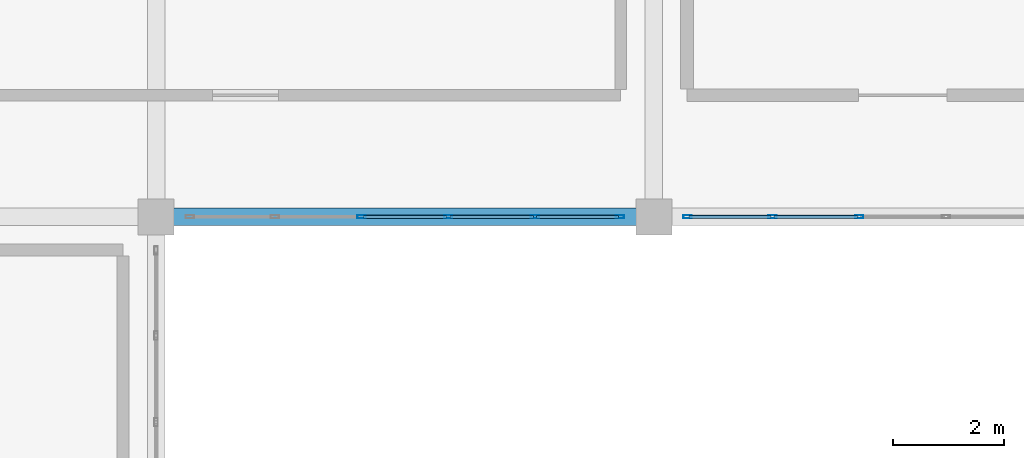
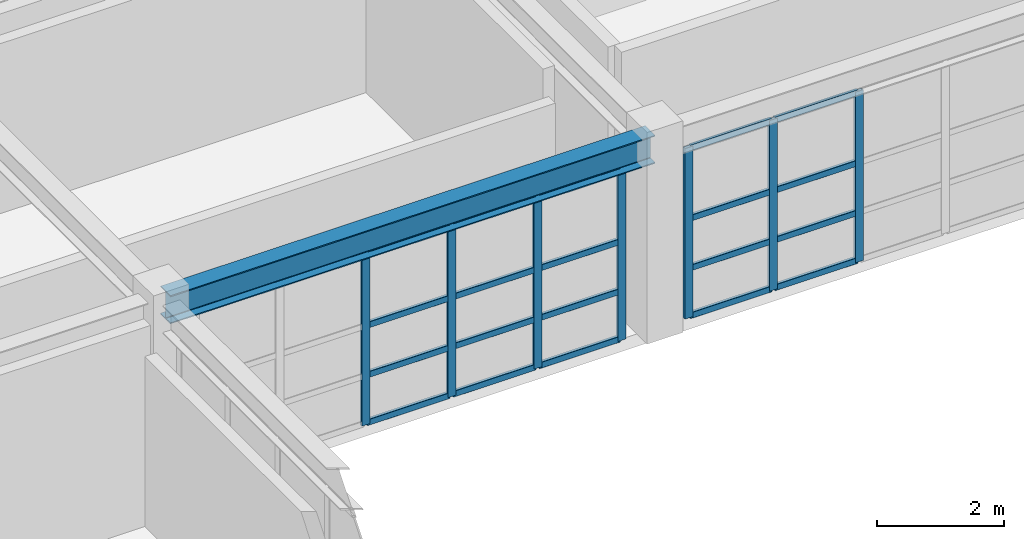
# One storey, part 64 of 110: 27 members, 1 beam, 2 elements without a shape of their own.
"""IFC4 building model written with IfcOpenShell, lengths in metres."""

from ifc_helpers import new_model, si_unit, direction, frame, origin, origin_2d, place, context, subcontext, project, spatial, hollow_rectangle, i_section, extrude, material, material_profile, profile_set, type_object, element, aggregate, save


model = new_model("IFC4")

# Units and contexts
model_context = context("Model", 3, precision=1e-05, world=origin(), true_north=direction((0.0, 1.0)))
body_context = subcontext(model_context, "Body", "Model", "MODEL_VIEW")
ifc_project = project(units=[si_unit("LENGTHUNIT", "METRE"), si_unit("AREAUNIT", "SQUARE_METRE"), si_unit("VOLUMEUNIT", "CUBIC_METRE"), si_unit("PLANEANGLEUNIT", "RADIAN"), si_unit("MASSUNIT", "GRAM", prefix="KILO")], contexts=[model_context])

# Site, building, storey
site_placement = place(None, origin())
site = spatial("IfcSite", under=ifc_project, at=site_placement, CompositionType="ELEMENT")
building_placement = place(site_placement, origin())
building = spatial("IfcBuilding", under=site, at=building_placement, Name="Miravela Opera House", CompositionType="ELEMENT")
storey_placement = place(building_placement, frame((0.0, 0.0, 13.60009765625)))
storey = spatial("IfcBuildingStorey", under=building, at=storey_placement, Name="L03", CompositionType="ELEMENT", Elevation=13.60009765625)

# Curtain wall, members
ifc_material_1 = material(Name="Anodised architectural bronze aluminium 6063-T6", Category="aluminium")
curtain_wall_type = type_object("IfcCurtainWallType", Name="ARC-CW-05", PredefinedType="NOTDEFINED", material=ifc_material_1)
curtain_wall_1_placement = place(storey_placement, origin())
curtain_wall_1 = element("IfcCurtainWall", 1, at=curtain_wall_1_placement, inside=storey, type_object=curtain_wall_type, Name="Courtyard Arcade Curtain Wall CW-L03-102", PredefinedType="NOTDEFINED")
ifc_material_profile_1 = material_profile(ifc_material_1, hollow_rectangle(XDim=0.06005859375, YDim=0.14990234375, WallThickness=0.00390625, InnerFilletRadius=0.001953125, OuterFilletRadius=0.00390625, at=origin_2d()), Name="CWM-60X150")
ifc_profile_set_1 = profile_set([ifc_material_profile_1])
member_type_1 = type_object("IfcMemberType", Name="ARC-CWM-150", PredefinedType="MULLION", material=ifc_profile_set_1)
member_1_placement = place(storey_placement, frame((30.716064453125, 103.0, 0.0), z_axis=(0.0, 0.0, 1.0), x_axis=(0.0, 1.0, 0.0)))
member_1 = element("IfcMember", 2, at=member_1_placement, type_object=member_type_1, Name="CW-05 mullion 3", PredefinedType="MULLION", context=body_context, shape_type="SweptSolid", body=[
    extrude(hollow_rectangle(XDim=0.06005859375, YDim=0.14990234375, WallThickness=0.00390625, InnerFilletRadius=0.001953125, OuterFilletRadius=0.00390625, at=origin_2d()), origin(), (0.0, 0.0, 1.0), 3.289794921875),
])
member_2_placement = place(storey_placement, frame((32.283935546875, 103.0, 0.0), z_axis=(0.0, 0.0, 1.0), x_axis=(0.0, 1.0, 0.0)))
member_2 = element("IfcMember", 3, at=member_2_placement, type_object=member_type_1, Name="CW-05 mullion 4", PredefinedType="MULLION", context=body_context, shape_type="SweptSolid", body=[
    extrude(hollow_rectangle(XDim=0.06005859375, YDim=0.14990234375, WallThickness=0.00390625, InnerFilletRadius=0.001953125, OuterFilletRadius=0.00390625, at=origin_2d()), origin(), (0.0, 0.0, 1.0), 3.289794921875),
])
member_3_placement = place(storey_placement, frame((33.85205078125, 103.0, 0.0), z_axis=(0.0, 0.0, 1.0), x_axis=(0.0, 1.0, 0.0)))
member_3 = element("IfcMember", 4, at=member_3_placement, type_object=member_type_1, Name="CW-05 mullion 5", PredefinedType="MULLION", context=body_context, shape_type="SweptSolid", body=[
    extrude(hollow_rectangle(XDim=0.06005859375, YDim=0.14990234375, WallThickness=0.00390625, InnerFilletRadius=0.001953125, OuterFilletRadius=0.00390625, at=origin_2d()), origin(), (0.0, 0.0, 1.0), 3.289794921875),
])
member_4_placement = place(storey_placement, frame((35.389892578125, 103.0, 0.0), z_axis=(0.0, 0.0, 1.0), x_axis=(0.0, 1.0, 0.0)))
member_4 = element("IfcMember", 5, at=member_4_placement, type_object=member_type_1, Name="CW-05 mullion 6", PredefinedType="MULLION", context=body_context, shape_type="SweptSolid", body=[
    extrude(hollow_rectangle(XDim=0.06005859375, YDim=0.14990234375, WallThickness=0.00390625, InnerFilletRadius=0.001953125, OuterFilletRadius=0.00390625, at=origin_2d()), origin(), (0.0, 0.0, 1.0), 3.289794921875),
])

curtain_wall_2_placement = place(storey_placement, origin())
curtain_wall_2 = element("IfcCurtainWall", 6, at=curtain_wall_2_placement, inside=storey, type_object=curtain_wall_type, Name="Courtyard Arcade Curtain Wall CW-L03-104", PredefinedType="NOTDEFINED")
member_5_placement = place(storey_placement, frame((36.610107421875, 103.0, 0.0), z_axis=(0.0, 0.0, 1.0), x_axis=(0.0, 1.0, 0.0)))
member_5 = element("IfcMember", 7, at=member_5_placement, type_object=member_type_1, Name="CW-05 mullion 1", PredefinedType="MULLION", context=body_context, shape_type="SweptSolid", body=[
    extrude(hollow_rectangle(XDim=0.06005859375, YDim=0.14990234375, WallThickness=0.00390625, InnerFilletRadius=0.001953125, OuterFilletRadius=0.00390625, at=origin_2d()), origin(), (0.0, 0.0, 1.0), 3.289794921875),
])
member_6_placement = place(storey_placement, frame((38.14794921875, 103.0, 0.0), z_axis=(0.0, 0.0, 1.0), x_axis=(0.0, 1.0, 0.0)))
member_6 = element("IfcMember", 8, at=member_6_placement, type_object=member_type_1, Name="CW-05 mullion 2", PredefinedType="MULLION", context=body_context, shape_type="SweptSolid", body=[
    extrude(hollow_rectangle(XDim=0.06005859375, YDim=0.14990234375, WallThickness=0.00390625, InnerFilletRadius=0.001953125, OuterFilletRadius=0.00390625, at=origin_2d()), origin(), (0.0, 0.0, 1.0), 3.289794921875),
])
member_7_placement = place(storey_placement, frame((39.716064453125, 103.0, 0.0), z_axis=(0.0, 0.0, 1.0), x_axis=(0.0, 1.0, 0.0)))
member_7 = element("IfcMember", 9, at=member_7_placement, type_object=member_type_1, Name="CW-05 mullion 3", PredefinedType="MULLION", context=body_context, shape_type="SweptSolid", body=[
    extrude(hollow_rectangle(XDim=0.06005859375, YDim=0.14990234375, WallThickness=0.00390625, InnerFilletRadius=0.001953125, OuterFilletRadius=0.00390625, at=origin_2d()), origin(), (0.0, 0.0, 1.0), 3.289794921875),
])

# Member
ifc_material_profile_2 = material_profile(ifc_material_1, hollow_rectangle(XDim=0.06005859375, YDim=0.114990234375, WallThickness=0.00390625, InnerFilletRadius=0.001953125, OuterFilletRadius=0.00390625, at=origin_2d()), Name="CWT-60X115")
ifc_profile_set_2 = profile_set([ifc_material_profile_2])
member_type_2 = type_object("IfcMemberType", Name="ARC-CWT-115", PredefinedType="USERDEFINED", material=ifc_profile_set_2)
member_8_placement = place(storey_placement, frame((30.74609375, 103.0, 0.02978515625), z_axis=(1.0, 0.0, 0.0), x_axis=(0.0, 1.0, 0.0)))
member_8 = element("IfcMember", 10, at=member_8_placement, type_object=member_type_2, Name="CW-05 transom 3.1", ObjectType="TRANSOM", PredefinedType="USERDEFINED", context=body_context, shape_type="SweptSolid", body=[
    extrude(hollow_rectangle(XDim=0.06005859375, YDim=0.114990234375, WallThickness=0.00390625, InnerFilletRadius=0.001953125, OuterFilletRadius=0.00390625, at=origin_2d()), origin(), (0.0, 0.0, 1.0), 1.5078125),
])

member_9_placement = place(storey_placement, frame((30.74609375, 103.0, 0.949951171875), z_axis=(1.0, 0.0, 0.0), x_axis=(0.0, 1.0, 0.0)))
member_9 = element("IfcMember", 11, at=member_9_placement, type_object=member_type_2, Name="CW-05 transom 3.2", ObjectType="TRANSOM", PredefinedType="USERDEFINED", context=body_context, shape_type="SweptSolid", body=[
    extrude(hollow_rectangle(XDim=0.06005859375, YDim=0.114990234375, WallThickness=0.00390625, InnerFilletRadius=0.001953125, OuterFilletRadius=0.00390625, at=origin_2d()), origin(), (0.0, 0.0, 1.0), 1.5078125),
])

member_10_placement = place(storey_placement, frame((30.74609375, 103.0, 1.908203125), z_axis=(1.0, 0.0, 0.0), x_axis=(0.0, 1.0, 0.0)))
member_10 = element("IfcMember", 12, at=member_10_placement, type_object=member_type_2, Name="CW-05 transom 3.3", ObjectType="TRANSOM", PredefinedType="USERDEFINED", context=body_context, shape_type="SweptSolid", body=[
    extrude(hollow_rectangle(XDim=0.06005859375, YDim=0.114990234375, WallThickness=0.00390625, InnerFilletRadius=0.001953125, OuterFilletRadius=0.00390625, at=origin_2d()), origin(), (0.0, 0.0, 1.0), 1.5078125),
])

member_11_placement = place(storey_placement, frame((30.74609375, 103.0, 3.260009765625), z_axis=(1.0, 0.0, 0.0), x_axis=(0.0, 1.0, 0.0)))
member_11 = element("IfcMember", 13, at=member_11_placement, type_object=member_type_2, Name="CW-05 transom 3.4", ObjectType="TRANSOM", PredefinedType="USERDEFINED", context=body_context, shape_type="SweptSolid", body=[
    extrude(hollow_rectangle(XDim=0.06005859375, YDim=0.114990234375, WallThickness=0.00390625, InnerFilletRadius=0.001953125, OuterFilletRadius=0.00390625, at=origin_2d()), origin(), (0.0, 0.0, 1.0), 1.5078125),
])

member_12_placement = place(storey_placement, frame((32.31396484375, 103.0, 0.02978515625), z_axis=(1.0, 0.0, 0.0), x_axis=(0.0, 1.0, 0.0)))
member_12 = element("IfcMember", 14, at=member_12_placement, type_object=member_type_2, Name="CW-05 transom 4.1", ObjectType="TRANSOM", PredefinedType="USERDEFINED", context=body_context, shape_type="SweptSolid", body=[
    extrude(hollow_rectangle(XDim=0.06005859375, YDim=0.114990234375, WallThickness=0.00390625, InnerFilletRadius=0.001953125, OuterFilletRadius=0.00390625, at=origin_2d()), origin(), (0.0, 0.0, 1.0), 1.508056640625),
])

member_13_placement = place(storey_placement, frame((32.31396484375, 103.0, 0.949951171875), z_axis=(1.0, 0.0, 0.0), x_axis=(0.0, 1.0, 0.0)))
member_13 = element("IfcMember", 15, at=member_13_placement, type_object=member_type_2, Name="CW-05 transom 4.2", ObjectType="TRANSOM", PredefinedType="USERDEFINED", context=body_context, shape_type="SweptSolid", body=[
    extrude(hollow_rectangle(XDim=0.06005859375, YDim=0.114990234375, WallThickness=0.00390625, InnerFilletRadius=0.001953125, OuterFilletRadius=0.00390625, at=origin_2d()), origin(), (0.0, 0.0, 1.0), 1.508056640625),
])

member_14_placement = place(storey_placement, frame((32.31396484375, 103.0, 1.908203125), z_axis=(1.0, 0.0, 0.0), x_axis=(0.0, 1.0, 0.0)))
member_14 = element("IfcMember", 16, at=member_14_placement, type_object=member_type_2, Name="CW-05 transom 4.3", ObjectType="TRANSOM", PredefinedType="USERDEFINED", context=body_context, shape_type="SweptSolid", body=[
    extrude(hollow_rectangle(XDim=0.06005859375, YDim=0.114990234375, WallThickness=0.00390625, InnerFilletRadius=0.001953125, OuterFilletRadius=0.00390625, at=origin_2d()), origin(), (0.0, 0.0, 1.0), 1.508056640625),
])

member_15_placement = place(storey_placement, frame((32.31396484375, 103.0, 3.260009765625), z_axis=(1.0, 0.0, 0.0), x_axis=(0.0, 1.0, 0.0)))
member_15 = element("IfcMember", 17, at=member_15_placement, type_object=member_type_2, Name="CW-05 transom 4.4", ObjectType="TRANSOM", PredefinedType="USERDEFINED", context=body_context, shape_type="SweptSolid", body=[
    extrude(hollow_rectangle(XDim=0.06005859375, YDim=0.114990234375, WallThickness=0.00390625, InnerFilletRadius=0.001953125, OuterFilletRadius=0.00390625, at=origin_2d()), origin(), (0.0, 0.0, 1.0), 1.508056640625),
])

member_16_placement = place(storey_placement, frame((33.882080078125, 103.0, 0.02978515625), z_axis=(1.0, 0.0, 0.0), x_axis=(0.0, 1.0, 0.0)))
member_16 = element("IfcMember", 18, at=member_16_placement, type_object=member_type_2, Name="CW-05 transom 5.1", ObjectType="TRANSOM", PredefinedType="USERDEFINED", context=body_context, shape_type="SweptSolid", body=[
    extrude(hollow_rectangle(XDim=0.06005859375, YDim=0.114990234375, WallThickness=0.00390625, InnerFilletRadius=0.001953125, OuterFilletRadius=0.00390625, at=origin_2d()), origin(), (0.0, 0.0, 1.0), 1.47802734375),
])

member_17_placement = place(storey_placement, frame((33.882080078125, 103.0, 0.949951171875), z_axis=(1.0, 0.0, 0.0), x_axis=(0.0, 1.0, 0.0)))
member_17 = element("IfcMember", 19, at=member_17_placement, type_object=member_type_2, Name="CW-05 transom 5.2", ObjectType="TRANSOM", PredefinedType="USERDEFINED", context=body_context, shape_type="SweptSolid", body=[
    extrude(hollow_rectangle(XDim=0.06005859375, YDim=0.114990234375, WallThickness=0.00390625, InnerFilletRadius=0.001953125, OuterFilletRadius=0.00390625, at=origin_2d()), origin(), (0.0, 0.0, 1.0), 1.47802734375),
])

member_18_placement = place(storey_placement, frame((33.882080078125, 103.0, 1.908203125), z_axis=(1.0, 0.0, 0.0), x_axis=(0.0, 1.0, 0.0)))
member_18 = element("IfcMember", 20, at=member_18_placement, type_object=member_type_2, Name="CW-05 transom 5.3", ObjectType="TRANSOM", PredefinedType="USERDEFINED", context=body_context, shape_type="SweptSolid", body=[
    extrude(hollow_rectangle(XDim=0.06005859375, YDim=0.114990234375, WallThickness=0.00390625, InnerFilletRadius=0.001953125, OuterFilletRadius=0.00390625, at=origin_2d()), origin(), (0.0, 0.0, 1.0), 1.47802734375),
])

member_19_placement = place(storey_placement, frame((33.882080078125, 103.0, 3.260009765625), z_axis=(1.0, 0.0, 0.0), x_axis=(0.0, 1.0, 0.0)))
member_19 = element("IfcMember", 21, at=member_19_placement, type_object=member_type_2, Name="CW-05 transom 5.4", ObjectType="TRANSOM", PredefinedType="USERDEFINED", context=body_context, shape_type="SweptSolid", body=[
    extrude(hollow_rectangle(XDim=0.06005859375, YDim=0.114990234375, WallThickness=0.00390625, InnerFilletRadius=0.001953125, OuterFilletRadius=0.00390625, at=origin_2d()), origin(), (0.0, 0.0, 1.0), 1.47802734375),
])

aggregate(curtain_wall_1, [member_1, member_2, member_3, member_4, member_8, member_9, member_10, member_11, member_12, member_13, member_14, member_15, member_16, member_17, member_18, member_19])

member_20_placement = place(storey_placement, frame((36.639892578125, 103.0, 0.02978515625), z_axis=(1.0, 0.0, 0.0), x_axis=(0.0, 1.0, 0.0)))
member_20 = element("IfcMember", 22, at=member_20_placement, type_object=member_type_2, Name="CW-05 transom 1.1", ObjectType="TRANSOM", PredefinedType="USERDEFINED", context=body_context, shape_type="SweptSolid", body=[
    extrude(hollow_rectangle(XDim=0.06005859375, YDim=0.114990234375, WallThickness=0.00390625, InnerFilletRadius=0.001953125, OuterFilletRadius=0.00390625, at=origin_2d()), origin(), (0.0, 0.0, 1.0), 1.47802734375),
])

member_21_placement = place(storey_placement, frame((36.639892578125, 103.0, 0.949951171875), z_axis=(1.0, 0.0, 0.0), x_axis=(0.0, 1.0, 0.0)))
member_21 = element("IfcMember", 23, at=member_21_placement, type_object=member_type_2, Name="CW-05 transom 1.2", ObjectType="TRANSOM", PredefinedType="USERDEFINED", context=body_context, shape_type="SweptSolid", body=[
    extrude(hollow_rectangle(XDim=0.06005859375, YDim=0.114990234375, WallThickness=0.00390625, InnerFilletRadius=0.001953125, OuterFilletRadius=0.00390625, at=origin_2d()), origin(), (0.0, 0.0, 1.0), 1.47802734375),
])

member_22_placement = place(storey_placement, frame((36.639892578125, 103.0, 1.908203125), z_axis=(1.0, 0.0, 0.0), x_axis=(0.0, 1.0, 0.0)))
member_22 = element("IfcMember", 24, at=member_22_placement, type_object=member_type_2, Name="CW-05 transom 1.3", ObjectType="TRANSOM", PredefinedType="USERDEFINED", context=body_context, shape_type="SweptSolid", body=[
    extrude(hollow_rectangle(XDim=0.06005859375, YDim=0.114990234375, WallThickness=0.00390625, InnerFilletRadius=0.001953125, OuterFilletRadius=0.00390625, at=origin_2d()), origin(), (0.0, 0.0, 1.0), 1.47802734375),
])

member_23_placement = place(storey_placement, frame((36.639892578125, 103.0, 3.260009765625), z_axis=(1.0, 0.0, 0.0), x_axis=(0.0, 1.0, 0.0)))
member_23 = element("IfcMember", 25, at=member_23_placement, type_object=member_type_2, Name="CW-05 transom 1.4", ObjectType="TRANSOM", PredefinedType="USERDEFINED", context=body_context, shape_type="SweptSolid", body=[
    extrude(hollow_rectangle(XDim=0.06005859375, YDim=0.114990234375, WallThickness=0.00390625, InnerFilletRadius=0.001953125, OuterFilletRadius=0.00390625, at=origin_2d()), origin(), (0.0, 0.0, 1.0), 1.47802734375),
])

member_24_placement = place(storey_placement, frame((38.177978515625, 103.0, 0.02978515625), z_axis=(1.0, 0.0, 0.0), x_axis=(0.0, 1.0, 0.0)))
member_24 = element("IfcMember", 26, at=member_24_placement, type_object=member_type_2, Name="CW-05 transom 2.1", ObjectType="TRANSOM", PredefinedType="USERDEFINED", context=body_context, shape_type="SweptSolid", body=[
    extrude(hollow_rectangle(XDim=0.06005859375, YDim=0.114990234375, WallThickness=0.00390625, InnerFilletRadius=0.001953125, OuterFilletRadius=0.00390625, at=origin_2d()), origin(), (0.0, 0.0, 1.0), 1.508056640625),
])

member_25_placement = place(storey_placement, frame((38.177978515625, 103.0, 0.949951171875), z_axis=(1.0, 0.0, 0.0), x_axis=(0.0, 1.0, 0.0)))
member_25 = element("IfcMember", 27, at=member_25_placement, type_object=member_type_2, Name="CW-05 transom 2.2", ObjectType="TRANSOM", PredefinedType="USERDEFINED", context=body_context, shape_type="SweptSolid", body=[
    extrude(hollow_rectangle(XDim=0.06005859375, YDim=0.114990234375, WallThickness=0.00390625, InnerFilletRadius=0.001953125, OuterFilletRadius=0.00390625, at=origin_2d()), origin(), (0.0, 0.0, 1.0), 1.508056640625),
])

member_26_placement = place(storey_placement, frame((38.177978515625, 103.0, 1.908203125), z_axis=(1.0, 0.0, 0.0), x_axis=(0.0, 1.0, 0.0)))
member_26 = element("IfcMember", 28, at=member_26_placement, type_object=member_type_2, Name="CW-05 transom 2.3", ObjectType="TRANSOM", PredefinedType="USERDEFINED", context=body_context, shape_type="SweptSolid", body=[
    extrude(hollow_rectangle(XDim=0.06005859375, YDim=0.114990234375, WallThickness=0.00390625, InnerFilletRadius=0.001953125, OuterFilletRadius=0.00390625, at=origin_2d()), origin(), (0.0, 0.0, 1.0), 1.508056640625),
])

member_27_placement = place(storey_placement, frame((38.177978515625, 103.0, 3.260009765625), z_axis=(1.0, 0.0, 0.0), x_axis=(0.0, 1.0, 0.0)))
member_27 = element("IfcMember", 29, at=member_27_placement, type_object=member_type_2, Name="CW-05 transom 2.4", ObjectType="TRANSOM", PredefinedType="USERDEFINED", context=body_context, shape_type="SweptSolid", body=[
    extrude(hollow_rectangle(XDim=0.06005859375, YDim=0.114990234375, WallThickness=0.00390625, InnerFilletRadius=0.001953125, OuterFilletRadius=0.00390625, at=origin_2d()), origin(), (0.0, 0.0, 1.0), 1.508056640625),
])

aggregate(curtain_wall_2, [member_5, member_6, member_7, member_20, member_21, member_22, member_23, member_24, member_25, member_26, member_27])

# Beam
ifc_material_2 = material(Name="Structural steel ASTM A992 Gr. 50", Category="steel")
ifc_material_profile_3 = material_profile(ifc_material_2, i_section(OverallWidth=0.31201171875, OverallDepth=0.54296875, WebThickness=0.0126953125, FlangeThickness=0.020263671875, FilletRadius=0.01611328125, at=origin_2d()), Name="W530X150")
ifc_profile_set_3 = profile_set([ifc_material_profile_3])
beam_type = type_object("IfcBeamType", Name="STR-BM-W530X150", PredefinedType="BEAM", material=ifc_profile_set_3)
beam_placement = place(storey_placement, frame((27.080078125, 103.0, 3.568359375), z_axis=(1.0, 0.0, 0.0), x_axis=(0.0, 1.0, 0.0)))
element("IfcBeam", 30, at=beam_placement, inside=storey, type_object=beam_type, Name="Roof Eave Girder ROOF-V3-WEST-N S2", PredefinedType="BEAM", context=body_context, shape_type="SweptSolid", body=[
    extrude(i_section(OverallWidth=0.31201171875, OverallDepth=0.54296875, WebThickness=0.0126953125, FlangeThickness=0.020263671875, FilletRadius=0.01611328125, at=origin_2d()), origin(), (0.0, 0.0, 1.0), 8.83984375),
])

save(model, "model.ifc")
